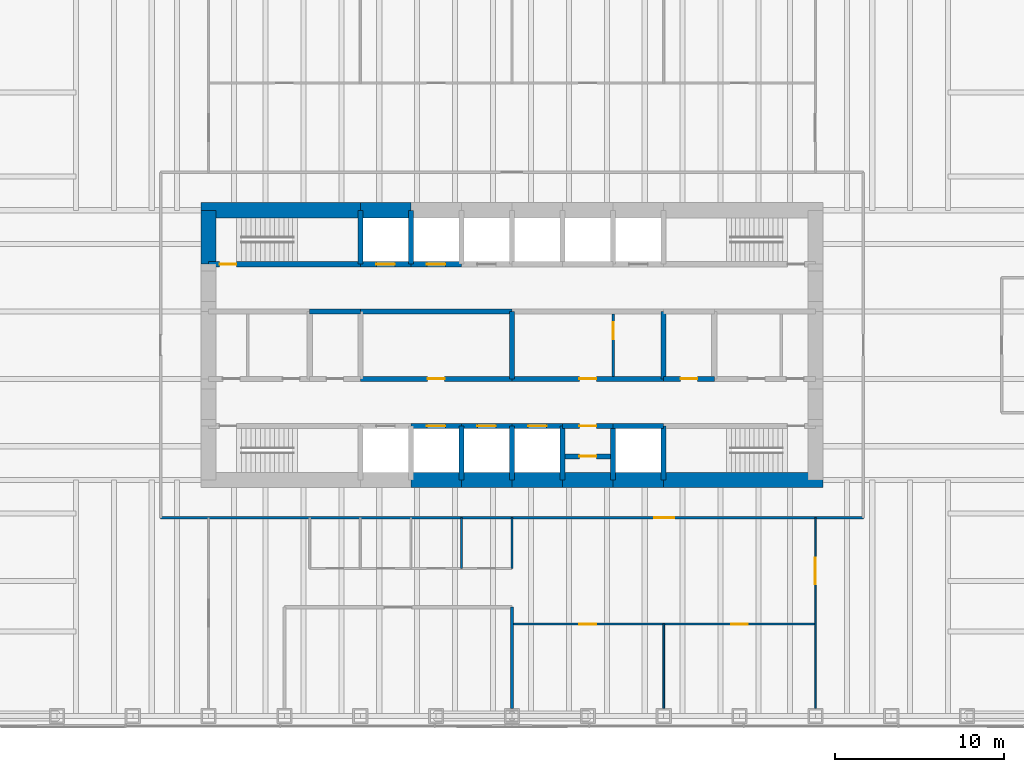
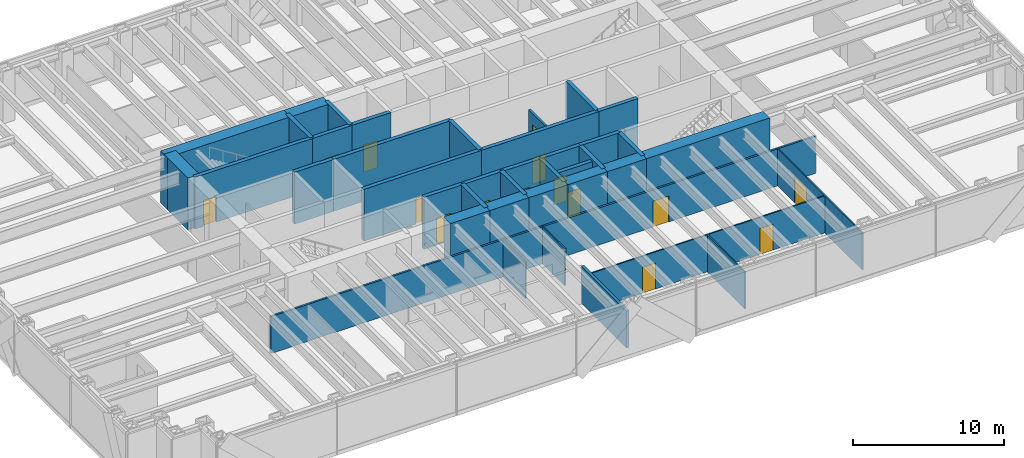
# One storey, part 14 of 17: 40 walls, 16 doors, 16 openings.
"""IFC4 building model written with IfcOpenShell, lengths in metres."""

from ifc_helpers import new_model, si_unit, direction, frame, frame_2d, origin, place, context, subcontext, project, spatial, rectangle, extrude, material, layer, layer_set, type_object, element, fill, save


model = new_model("IFC4")

# Units and contexts
model_context = context("Model", 3, precision=1e-05, world=origin(), true_north=direction((0.0, 1.0)))
body_context = subcontext(model_context, "Body", "Model", "MODEL_VIEW")
ifc_project = project(units=[si_unit("LENGTHUNIT", "METRE"), si_unit("AREAUNIT", "SQUARE_METRE"), si_unit("VOLUMEUNIT", "CUBIC_METRE"), si_unit("PLANEANGLEUNIT", "RADIAN"), si_unit("MASSUNIT", "GRAM", prefix="KILO")], contexts=[model_context])

# Site, building, storey
site_placement = place(None, origin())
site = spatial("IfcSite", under=ifc_project, at=site_placement, CompositionType="ELEMENT")
building_placement = place(site_placement, origin())
building = spatial("IfcBuilding", under=site, at=building_placement, Name="Rheinbord Bourse Tower", CompositionType="ELEMENT")
storey_placement = place(building_placement, frame((0.0, 0.0, 121.5)))
storey = spatial("IfcBuildingStorey", under=building, at=storey_placement, Name="L26", CompositionType="ELEMENT", Elevation=121.5)

# Wall
ifc_material_1 = material(Name="Acoustic gypsum board partition", Category="gypsum board")
ifc_layer_1 = layer(ifc_material_1, 0.199951171875)
ifc_layer_set_1 = layer_set([ifc_layer_1], Name="ACOUSTIC PARTITION 200")
wall_type_1 = type_object("IfcWallType", Name="ACOUSTIC PARTITION 200", PredefinedType="PARTITIONING", material=ifc_layer_set_1)
wall_1_placement = place(storey_placement, frame((36.0, 2.449951171875, 0.0), z_axis=(0.0, 0.0, 1.0), x_axis=(0.0, 1.0, 0.0)))
element("IfcWall", 1, at=wall_1_placement, inside=storey, type_object=wall_type_1, Name="Partition L26-23", PredefinedType="PARTITIONING", context=body_context, shape_type="SweptSolid", body=[
    extrude(rectangle(XDim=6.0, YDim=0.199951171875, at=frame_2d((3.0, 0.0))), origin(), (0.0, 0.0, 1.0), 3.0),
])

# Wall, opening, door
ifc_material_2 = material(Name="Concrete C50/60", Category="concrete")
ifc_layer_2 = layer(ifc_material_2, 0.300048828125)
ifc_layer_set_2 = layer_set([ifc_layer_2], Name="CORE INNER WALL 300")
wall_type_2 = type_object("IfcWallType", Name="CORE INNER WALL 300", PredefinedType="SOLIDWALL", material=ifc_layer_set_2)
wall_2_placement = place(storey_placement, frame((30.0, 19.199951171875, 0.0), z_axis=(0.0, 0.0, 1.0), x_axis=(1.0, 0.0, 0.0)))
wall_2 = element("IfcWall", 2, at=wall_2_placement, inside=storey, type_object=wall_type_2, Name="Core wall A3 L26", PredefinedType="SOLIDWALL", context=body_context, shape_type="SweptSolid", body=[
    extrude(rectangle(XDim=3.0, YDim=0.300048828125, at=frame_2d((1.5, 0.0))), origin(), (0.0, 0.0, 1.0), 4.199951171875),
])
opening_1_placement = place(wall_2_placement, frame((0.949951171875, 0.0, 0.0)))
opening_1 = element("IfcOpeningElement", 3, at=opening_1_placement, cuts=wall_2, Name="Opening PB1", PredefinedType="OPENING", context=body_context, shape_type="SweptSolid", body=[
    extrude(rectangle(XDim=1.10009765625, YDim=2.199951171875, at=frame_2d((0.550048828125, 1.10009765625))), frame((0.0, 0.159912109375, 0.0), z_axis=(0.0, -1.0, 0.0), x_axis=(1.0, 0.0, 0.0)), (0.0, 0.0, 1.0), 0.320068359375),
])
ifc_material_3 = material(Name="Steel landing door", Category="steel")
door_type_1 = type_object("IfcDoorType", Name="LIFT LANDING DOOR 1100", OperationType="DOUBLE_DOOR_SLIDING", PredefinedType="USERDEFINED", material=ifc_material_3)
door_1_placement = place(opening_1_placement, origin())
door_1 = element("IfcDoor", 4, at=door_1_placement, inside=storey, type_object=door_type_1, Name="Lift landing door PB1 L26", ObjectType="LIFT LANDING DOOR", OperationType="DOUBLE_DOOR_SLIDING", OverallHeight=2.199951171875, OverallWidth=1.10009765625, PredefinedType="USERDEFINED", context=body_context, shape_type="SweptSolid", body=[
    extrude(rectangle(XDim=1.10009765625, YDim=2.199951171875, at=frame_2d((0.550048828125, 1.10009765625))), frame((0.0, 0.02490234375, 0.0), z_axis=(0.0, -1.0, 0.0), x_axis=(1.0, 0.0, 0.0)), (0.0, 0.0, 1.0), 0.050048828125),
])
fill(opening_1, door_1)

wall_3_placement = place(storey_placement, frame((33.0, 19.199951171875, 0.0), z_axis=(0.0, 0.0, 1.0), x_axis=(1.0, 0.0, 0.0)))
wall_3 = element("IfcWall", 5, at=wall_3_placement, inside=storey, type_object=wall_type_2, Name="Core wall A4 L26", PredefinedType="SOLIDWALL", context=body_context, shape_type="SweptSolid", body=[
    extrude(rectangle(XDim=3.0, YDim=0.300048828125, at=frame_2d((1.5, 0.0))), origin(), (0.0, 0.0, 1.0), 4.199951171875),
])
opening_2_placement = place(wall_3_placement, frame((0.949951171875, 0.0, 0.0)))
opening_2 = element("IfcOpeningElement", 6, at=opening_2_placement, cuts=wall_3, Name="Opening PB2", PredefinedType="OPENING", context=body_context, shape_type="SweptSolid", body=[
    extrude(rectangle(XDim=1.10009765625, YDim=2.199951171875, at=frame_2d((0.550048828125, 1.10009765625))), frame((0.0, 0.159912109375, 0.0), z_axis=(0.0, -1.0, 0.0), x_axis=(1.0, 0.0, 0.0)), (0.0, 0.0, 1.0), 0.320068359375),
])
door_2_placement = place(opening_2_placement, origin())
door_2 = element("IfcDoor", 7, at=door_2_placement, inside=storey, type_object=door_type_1, Name="Lift landing door PB2 L26", ObjectType="LIFT LANDING DOOR", OperationType="DOUBLE_DOOR_SLIDING", OverallHeight=2.199951171875, OverallWidth=1.10009765625, PredefinedType="USERDEFINED", context=body_context, shape_type="SweptSolid", body=[
    extrude(rectangle(XDim=1.10009765625, YDim=2.199951171875, at=frame_2d((0.550048828125, 1.10009765625))), frame((0.0, 0.02490234375, 0.0), z_axis=(0.0, -1.0, 0.0), x_axis=(1.0, 0.0, 0.0)), (0.0, 0.0, 1.0), 0.050048828125),
])
fill(opening_2, door_2)

wall_4_placement = place(storey_placement, frame((36.0, 19.199951171875, 0.0), z_axis=(0.0, 0.0, 1.0), x_axis=(1.0, 0.0, 0.0)))
wall_4 = element("IfcWall", 8, at=wall_4_placement, inside=storey, type_object=wall_type_2, Name="Core wall A5 L26", PredefinedType="SOLIDWALL", context=body_context, shape_type="SweptSolid", body=[
    extrude(rectangle(XDim=3.0, YDim=0.300048828125, at=frame_2d((1.5, 0.0))), origin(), (0.0, 0.0, 1.0), 4.199951171875),
])
opening_3_placement = place(wall_4_placement, frame((0.949951171875, 0.0, 0.0)))
opening_3 = element("IfcOpeningElement", 9, at=opening_3_placement, cuts=wall_4, Name="Opening PB3", PredefinedType="OPENING", context=body_context, shape_type="SweptSolid", body=[
    extrude(rectangle(XDim=1.10009765625, YDim=2.199951171875, at=frame_2d((0.550048828125, 1.10009765625))), frame((0.0, 0.159912109375, 0.0), z_axis=(0.0, -1.0, 0.0), x_axis=(1.0, 0.0, 0.0)), (0.0, 0.0, 1.0), 0.320068359375),
])
door_3_placement = place(opening_3_placement, origin())
door_3 = element("IfcDoor", 10, at=door_3_placement, inside=storey, type_object=door_type_1, Name="Lift landing door PB3 L26", ObjectType="LIFT LANDING DOOR", OperationType="DOUBLE_DOOR_SLIDING", OverallHeight=2.199951171875, OverallWidth=1.10009765625, PredefinedType="USERDEFINED", context=body_context, shape_type="SweptSolid", body=[
    extrude(rectangle(XDim=1.10009765625, YDim=2.199951171875, at=frame_2d((0.550048828125, 1.10009765625))), frame((0.0, 0.02490234375, 0.0), z_axis=(0.0, -1.0, 0.0), x_axis=(1.0, 0.0, 0.0)), (0.0, 0.0, 1.0), 0.050048828125),
])
fill(opening_3, door_3)

wall_5_placement = place(storey_placement, frame((39.0, 19.199951171875, 0.0), z_axis=(0.0, 0.0, 1.0), x_axis=(1.0, 0.0, 0.0)))
wall_5 = element("IfcWall", 11, at=wall_5_placement, inside=storey, type_object=wall_type_2, Name="Core wall A6 L26", PredefinedType="SOLIDWALL", context=body_context, shape_type="SweptSolid", body=[
    extrude(rectangle(XDim=3.0, YDim=0.300048828125, at=frame_2d((1.5, 0.0))), origin(), (0.0, 0.0, 1.0), 4.199951171875),
])
opening_4_placement = place(wall_5_placement, frame((1.0, 0.0, 0.0)))
opening_4 = element("IfcOpeningElement", 12, at=opening_4_placement, cuts=wall_5, Name="Opening 26R8", PredefinedType="OPENING", context=body_context, shape_type="SweptSolid", body=[
    extrude(rectangle(XDim=1.0, YDim=2.10009765625, at=frame_2d((0.5, 1.050048828125))), frame((0.0, 0.159912109375, 0.0), z_axis=(0.0, -1.0, 0.0), x_axis=(1.0, 0.0, 0.0)), (0.0, 0.0, 1.0), 0.320068359375),
])
ifc_material_4 = material(Name="Steel door", Category="steel")
door_type_2 = type_object("IfcDoorType", Name="DOOR 1000 EI30", OperationType="SINGLE_SWING_LEFT", PredefinedType="DOOR", material=ifc_material_4)
door_4_placement = place(opening_4_placement, origin())
door_4 = element("IfcDoor", 13, at=door_4_placement, inside=storey, type_object=door_type_2, Name="Pantry door L26", OperationType="SINGLE_SWING_LEFT", OverallHeight=2.10009765625, OverallWidth=1.0, PredefinedType="DOOR", context=body_context, shape_type="SweptSolid", body=[
    extrude(rectangle(XDim=1.0, YDim=2.10009765625, at=frame_2d((0.5, 1.050048828125))), frame((0.0, 0.02490234375, 0.0), z_axis=(0.0, -1.0, 0.0), x_axis=(1.0, 0.0, 0.0)), (0.0, 0.0, 1.0), 0.050048828125),
])
fill(opening_4, door_4)

# Wall
wall_6_placement = place(storey_placement, frame((42.0, 19.199951171875, 0.0), z_axis=(0.0, 0.0, 1.0), x_axis=(1.0, 0.0, 0.0)))
element("IfcWall", 14, at=wall_6_placement, inside=storey, type_object=wall_type_2, Name="Core wall A7 L26", PredefinedType="SOLIDWALL", context=body_context, shape_type="SweptSolid", body=[
    extrude(rectangle(XDim=3.0, YDim=0.300048828125, at=frame_2d((1.5, 0.0))), origin(), (0.0, 0.0, 1.0), 4.199951171875),
])

# Wall, opening, door
wall_7_placement = place(storey_placement, frame((18.0, 28.800048828125, 0.0), z_axis=(0.0, 0.0, 1.0), x_axis=(1.0, 0.0, 0.0)))
wall_7 = element("IfcWall", 15, at=wall_7_placement, inside=storey, type_object=wall_type_2, Name="Core wall B1 L26", PredefinedType="SOLIDWALL", context=body_context, shape_type="SweptSolid", body=[
    extrude(rectangle(XDim=9.0, YDim=0.300048828125, at=frame_2d((4.5, 0.0))), origin(), (0.0, 0.0, 1.0), 4.199951171875),
])
opening_5_placement = place(wall_7_placement, frame((0.64990234375, 0.0, 0.0)))
opening_5 = element("IfcOpeningElement", 16, at=opening_5_placement, cuts=wall_7, Name="Opening 2620", PredefinedType="OPENING", context=body_context, shape_type="SweptSolid", body=[
    extrude(rectangle(XDim=1.0, YDim=2.10009765625, at=frame_2d((0.5, 1.050048828125))), frame((0.0, 0.159912109375, 0.0), z_axis=(0.0, -1.0, 0.0), x_axis=(1.0, 0.0, 0.0)), (0.0, 0.0, 1.0), 0.320068359375),
])
door_5_placement = place(opening_5_placement, origin())
door_5 = element("IfcDoor", 17, at=door_5_placement, inside=storey, type_object=door_type_2, Name="Stair door ST2 L26", OperationType="SINGLE_SWING_LEFT", OverallHeight=2.10009765625, OverallWidth=1.0, PredefinedType="DOOR", context=body_context, shape_type="SweptSolid", body=[
    extrude(rectangle(XDim=1.0, YDim=2.10009765625, at=frame_2d((0.5, 1.050048828125))), frame((0.0, 0.02490234375, 0.0), z_axis=(0.0, -1.0, 0.0), x_axis=(1.0, 0.0, 0.0)), (0.0, 0.0, 1.0), 0.050048828125),
])
fill(opening_5, door_5)

wall_8_placement = place(storey_placement, frame((27.0, 28.800048828125, 0.0), z_axis=(0.0, 0.0, 1.0), x_axis=(1.0, 0.0, 0.0)))
wall_8 = element("IfcWall", 18, at=wall_8_placement, inside=storey, type_object=wall_type_2, Name="Core wall B2 L26", PredefinedType="SOLIDWALL", context=body_context, shape_type="SweptSolid", body=[
    extrude(rectangle(XDim=3.0, YDim=0.300048828125, at=frame_2d((1.5, 0.0))), origin(), (0.0, 0.0, 1.0), 4.199951171875),
])
opening_6_placement = place(wall_8_placement, frame((0.949951171875, 0.0, 0.0)))
opening_6 = element("IfcOpeningElement", 19, at=opening_6_placement, cuts=wall_8, Name="Opening GL1", PredefinedType="OPENING", context=body_context, shape_type="SweptSolid", body=[
    extrude(rectangle(XDim=1.10009765625, YDim=2.199951171875, at=frame_2d((0.550048828125, 1.10009765625))), frame((0.0, 0.159912109375, 0.0), z_axis=(0.0, -1.0, 0.0), x_axis=(1.0, 0.0, 0.0)), (0.0, 0.0, 1.0), 0.320068359375),
])
door_6_placement = place(opening_6_placement, origin())
door_6 = element("IfcDoor", 20, at=door_6_placement, inside=storey, type_object=door_type_1, Name="Lift landing door GL1 L26", ObjectType="LIFT LANDING DOOR", OperationType="DOUBLE_DOOR_SLIDING", OverallHeight=2.199951171875, OverallWidth=1.10009765625, PredefinedType="USERDEFINED", context=body_context, shape_type="SweptSolid", body=[
    extrude(rectangle(XDim=1.10009765625, YDim=2.199951171875, at=frame_2d((0.550048828125, 1.10009765625))), frame((0.0, 0.02490234375, 0.0), z_axis=(0.0, -1.0, 0.0), x_axis=(1.0, 0.0, 0.0)), (0.0, 0.0, 1.0), 0.050048828125),
])
fill(opening_6, door_6)

wall_9_placement = place(storey_placement, frame((30.0, 28.800048828125, 0.0), z_axis=(0.0, 0.0, 1.0), x_axis=(1.0, 0.0, 0.0)))
wall_9 = element("IfcWall", 21, at=wall_9_placement, inside=storey, type_object=wall_type_2, Name="Core wall B3 L26", PredefinedType="SOLIDWALL", context=body_context, shape_type="SweptSolid", body=[
    extrude(rectangle(XDim=3.0, YDim=0.300048828125, at=frame_2d((1.5, 0.0))), origin(), (0.0, 0.0, 1.0), 4.199951171875),
])
opening_7_placement = place(wall_9_placement, frame((0.949951171875, 0.0, 0.0)))
opening_7 = element("IfcOpeningElement", 22, at=opening_7_placement, cuts=wall_9, Name="Opening PB4", PredefinedType="OPENING", context=body_context, shape_type="SweptSolid", body=[
    extrude(rectangle(XDim=1.10009765625, YDim=2.199951171875, at=frame_2d((0.550048828125, 1.10009765625))), frame((0.0, 0.159912109375, 0.0), z_axis=(0.0, -1.0, 0.0), x_axis=(1.0, 0.0, 0.0)), (0.0, 0.0, 1.0), 0.320068359375),
])
door_7_placement = place(opening_7_placement, origin())
door_7 = element("IfcDoor", 23, at=door_7_placement, inside=storey, type_object=door_type_1, Name="Lift landing door PB4 L26", ObjectType="LIFT LANDING DOOR", OperationType="DOUBLE_DOOR_SLIDING", OverallHeight=2.199951171875, OverallWidth=1.10009765625, PredefinedType="USERDEFINED", context=body_context, shape_type="SweptSolid", body=[
    extrude(rectangle(XDim=1.10009765625, YDim=2.199951171875, at=frame_2d((0.550048828125, 1.10009765625))), frame((0.0, 0.02490234375, 0.0), z_axis=(0.0, -1.0, 0.0), x_axis=(1.0, 0.0, 0.0)), (0.0, 0.0, 1.0), 0.050048828125),
])
fill(opening_7, door_7)

wall_10_placement = place(storey_placement, frame((27.0, 22.0, 0.0), z_axis=(0.0, 0.0, 1.0), x_axis=(1.0, 0.0, 0.0)))
wall_10 = element("IfcWall", 24, at=wall_10_placement, inside=storey, type_object=wall_type_2, Name="Core wall C3 L26", PredefinedType="SOLIDWALL", context=body_context, shape_type="SweptSolid", body=[
    extrude(rectangle(XDim=9.0, YDim=0.300048828125, at=frame_2d((4.5, 0.0))), origin(), (0.0, 0.0, 1.0), 4.199951171875),
])
opening_8_placement = place(wall_10_placement, frame((4.0, 0.0, 0.0)))
opening_8 = element("IfcOpeningElement", 25, at=opening_8_placement, cuts=wall_10, Name="Opening 26R3", PredefinedType="OPENING", context=body_context, shape_type="SweptSolid", body=[
    extrude(rectangle(XDim=1.0, YDim=2.10009765625, at=frame_2d((0.5, 1.050048828125))), frame((0.0, 0.159912109375, 0.0), z_axis=(0.0, -1.0, 0.0), x_axis=(1.0, 0.0, 0.0)), (0.0, 0.0, 1.0), 0.320068359375),
])
door_8_placement = place(opening_8_placement, origin())
door_8 = element("IfcDoor", 26, at=door_8_placement, inside=storey, type_object=door_type_2, Name="Riser door L26", OperationType="SINGLE_SWING_LEFT", OverallHeight=2.10009765625, OverallWidth=1.0, PredefinedType="DOOR", context=body_context, shape_type="SweptSolid", body=[
    extrude(rectangle(XDim=1.0, YDim=2.10009765625, at=frame_2d((0.5, 1.050048828125))), frame((0.0, 0.02490234375, 0.0), z_axis=(0.0, -1.0, 0.0), x_axis=(1.0, 0.0, 0.0)), (0.0, 0.0, 1.0), 0.050048828125),
])
fill(opening_8, door_8)

wall_11_placement = place(storey_placement, frame((36.0, 22.0, 0.0), z_axis=(0.0, 0.0, 1.0), x_axis=(1.0, 0.0, 0.0)))
wall_11 = element("IfcWall", 27, at=wall_11_placement, inside=storey, type_object=wall_type_2, Name="Core wall C4 L26", PredefinedType="SOLIDWALL", context=body_context, shape_type="SweptSolid", body=[
    extrude(rectangle(XDim=9.0, YDim=0.300048828125, at=frame_2d((4.5, 0.0))), origin(), (0.0, 0.0, 1.0), 4.199951171875),
])
opening_9_placement = place(wall_11_placement, frame((4.0, 0.0, 0.0)))
opening_9 = element("IfcOpeningElement", 28, at=opening_9_placement, cuts=wall_11, Name="Opening 26R4", PredefinedType="OPENING", context=body_context, shape_type="SweptSolid", body=[
    extrude(rectangle(XDim=1.0, YDim=2.10009765625, at=frame_2d((0.5, 1.050048828125))), frame((0.0, 0.159912109375, 0.0), z_axis=(0.0, -1.0, 0.0), x_axis=(1.0, 0.0, 0.0)), (0.0, 0.0, 1.0), 0.320068359375),
])
door_9_placement = place(opening_9_placement, origin())
door_9 = element("IfcDoor", 29, at=door_9_placement, inside=storey, type_object=door_type_2, Name="IT room door L26", OperationType="SINGLE_SWING_LEFT", OverallHeight=2.10009765625, OverallWidth=1.0, PredefinedType="DOOR", context=body_context, shape_type="SweptSolid", body=[
    extrude(rectangle(XDim=1.0, YDim=2.10009765625, at=frame_2d((0.5, 1.050048828125))), frame((0.0, 0.02490234375, 0.0), z_axis=(0.0, -1.0, 0.0), x_axis=(1.0, 0.0, 0.0)), (0.0, 0.0, 1.0), 0.050048828125),
])
fill(opening_9, door_9)

wall_12_placement = place(storey_placement, frame((45.0, 22.0, 0.0), z_axis=(0.0, 0.0, 1.0), x_axis=(1.0, 0.0, 0.0)))
wall_12 = element("IfcWall", 30, at=wall_12_placement, inside=storey, type_object=wall_type_2, Name="Core wall C5 L26", PredefinedType="SOLIDWALL", context=body_context, shape_type="SweptSolid", body=[
    extrude(rectangle(XDim=3.0, YDim=0.300048828125, at=frame_2d((1.5, 0.0))), origin(), (0.0, 0.0, 1.0), 4.199951171875),
])
opening_10_placement = place(wall_12_placement, frame((1.0, 0.0, 0.0)))
opening_10 = element("IfcOpeningElement", 31, at=opening_10_placement, cuts=wall_12, Name="Opening 26R5", PredefinedType="OPENING", context=body_context, shape_type="SweptSolid", body=[
    extrude(rectangle(XDim=1.0, YDim=2.10009765625, at=frame_2d((0.5, 1.050048828125))), frame((0.0, 0.159912109375, 0.0), z_axis=(0.0, -1.0, 0.0), x_axis=(1.0, 0.0, 0.0)), (0.0, 0.0, 1.0), 0.320068359375),
])
ifc_material_5 = material(Name="Timber door", Category="wood")
door_type_3 = type_object("IfcDoorType", Name="DOOR 1000 WC", OperationType="SINGLE_SWING_LEFT", PredefinedType="DOOR", material=ifc_material_5)
door_10_placement = place(opening_10_placement, origin())
door_10 = element("IfcDoor", 32, at=door_10_placement, inside=storey, type_object=door_type_3, Name="Accessible WC door L26", OperationType="SINGLE_SWING_LEFT", OverallHeight=2.10009765625, OverallWidth=1.0, PredefinedType="DOOR", context=body_context, shape_type="SweptSolid", body=[
    extrude(rectangle(XDim=1.0, YDim=2.10009765625, at=frame_2d((0.5, 1.050048828125))), frame((0.0, 0.02490234375, 0.0), z_axis=(0.0, -1.0, 0.0), x_axis=(1.0, 0.0, 0.0)), (0.0, 0.0, 1.0), 0.050048828125),
])
fill(opening_10, door_10)

# Walls
wall_13_placement = place(storey_placement, frame((24.0, 26.0, 0.0), z_axis=(0.0, 0.0, 1.0), x_axis=(1.0, 0.0, 0.0)))
element("IfcWall", 33, at=wall_13_placement, inside=storey, type_object=wall_type_2, Name="Core wall D2 L26", PredefinedType="SOLIDWALL", context=body_context, shape_type="SweptSolid", body=[
    extrude(rectangle(XDim=3.0, YDim=0.300048828125, at=frame_2d((1.5, 0.0))), origin(), (0.0, 0.0, 1.0), 4.199951171875),
])
wall_14_placement = place(storey_placement, frame((27.0, 26.0, 0.0), z_axis=(0.0, 0.0, 1.0), x_axis=(1.0, 0.0, 0.0)))
element("IfcWall", 34, at=wall_14_placement, inside=storey, type_object=wall_type_2, Name="Core wall D3 L26", PredefinedType="SOLIDWALL", context=body_context, shape_type="SweptSolid", body=[
    extrude(rectangle(XDim=9.0, YDim=0.300048828125, at=frame_2d((4.5, 0.0))), origin(), (0.0, 0.0, 1.0), 4.199951171875),
])
for number, where, z_axis, x_axis, name in (
    (35, (27.0, 28.800048828125, 0.0), (0.0, 0.0, 1.0), (0.0, 1.0, 0.0), "Core wall NX27 L26"),
    (36, (30.0, 28.800048828125, 0.0), (0.0, 0.0, 1.0), (0.0, 1.0, 0.0), "Core wall NX30 L26"),
    (37, (33.0, 16.0, 0.0), (0.0, 0.0, 1.0), (0.0, 1.0, 0.0), "Core wall SX33 L26"),
    (38, (36.0, 16.0, 0.0), (0.0, 0.0, 1.0), (0.0, 1.0, 0.0), "Core wall SX36 L26"),
    (39, (39.0, 16.0, 0.0), (0.0, 0.0, 1.0), (0.0, 1.0, 0.0), "Core wall SX39 L26"),
    (40, (42.0, 16.0, 0.0), (0.0, 0.0, 1.0), (0.0, 1.0, 0.0), "Core wall SX42 L26"),
    (41, (45.0, 16.0, 0.0), (0.0, 0.0, 1.0), (0.0, 1.0, 0.0), "Core wall SX45 L26"),
):
    element("IfcWall", number, at=place(storey_placement, frame(where, z_axis=z_axis, x_axis=x_axis)), inside=storey, type_object=wall_type_2, Name=name, PredefinedType="SOLIDWALL", context=body_context, shape_type="SweptSolid", body=[
        extrude(rectangle(XDim=3.199951171875, YDim=0.300048828125, at=frame_2d((1.60009765625, 0.0))), origin(), (0.0, 0.0, 1.0), 4.199951171875),
    ])
for number, where, z_axis, x_axis, name in (
    (42, (36.0, 22.0, 0.0), (0.0, 0.0, 1.0), (0.0, 1.0, 0.0), "Core wall MX36 L26"),
    (43, (45.0, 22.0, 0.0), (0.0, 0.0, 1.0), (0.0, 1.0, 0.0), "Core wall MX45 L26"),
):
    element("IfcWall", number, at=place(storey_placement, frame(where, z_axis=z_axis, x_axis=x_axis)), inside=storey, type_object=wall_type_2, Name=name, PredefinedType="SOLIDWALL", context=body_context, shape_type="SweptSolid", body=[
        extrude(rectangle(XDim=4.0, YDim=0.300048828125, at=frame_2d((2.0, 0.0))), origin(), (0.0, 0.0, 1.0), 4.199951171875),
    ])

# Wall, opening, door
wall_15_placement = place(storey_placement, frame((39.14990234375, 17.39990234375, 0.0), z_axis=(0.0, 0.0, 1.0), x_axis=(1.0, 0.0, 0.0)))
wall_15 = element("IfcWall", 44, at=wall_15_placement, inside=storey, type_object=wall_type_2, Name="Core riser wall L26-6", PredefinedType="SOLIDWALL", context=body_context, shape_type="SweptSolid", body=[
    extrude(rectangle(XDim=2.7001953125, YDim=0.300048828125, at=frame_2d((1.35009765625, 0.0))), origin(), (0.0, 0.0, 1.0), 4.0400390625),
])
opening_11_placement = place(wall_15_placement, frame((0.85009765625, 0.0, 0.0)))
opening_11 = element("IfcOpeningElement", 45, at=opening_11_placement, cuts=wall_15, Name="Opening 26R12", PredefinedType="OPENING", context=body_context, shape_type="SweptSolid", body=[
    extrude(rectangle(XDim=1.0, YDim=2.10009765625, at=frame_2d((0.5, 1.050048828125))), frame((0.0, 0.159912109375, 0.0), z_axis=(0.0, -1.0, 0.0), x_axis=(1.0, 0.0, 0.0)), (0.0, 0.0, 1.0), 0.320068359375),
])
door_11_placement = place(opening_11_placement, origin())
door_11 = element("IfcDoor", 46, at=door_11_placement, inside=storey, type_object=door_type_2, Name="Comms riser door L26", OperationType="SINGLE_SWING_LEFT", OverallHeight=2.10009765625, OverallWidth=1.0, PredefinedType="DOOR", context=body_context, shape_type="SweptSolid", body=[
    extrude(rectangle(XDim=1.0, YDim=2.10009765625, at=frame_2d((0.5, 1.050048828125))), frame((0.0, 0.02490234375, 0.0), z_axis=(0.0, -1.0, 0.0), x_axis=(1.0, 0.0, 0.0)), (0.0, 0.0, 1.0), 0.050048828125),
])
fill(opening_11, door_11)

ifc_material_6 = material(Name="Gypsum board fire partition", Category="gypsum board")
ifc_layer_3 = layer(ifc_material_6, 0.14990234375)
ifc_layer_set_3 = layer_set([ifc_layer_3], Name="CORE PARTITION 150 EI30")
wall_type_3 = type_object("IfcWallType", Name="CORE PARTITION 150 EI30", PredefinedType="PARTITIONING", material=ifc_layer_set_3)
wall_16_placement = place(storey_placement, frame((42.0, 22.14990234375, 0.0), z_axis=(0.0, 0.0, 1.0), x_axis=(0.0, 1.0, 0.0)))
wall_16 = element("IfcWall", 47, at=wall_16_placement, inside=storey, type_object=wall_type_3, Name="Core partition L26-1", PredefinedType="PARTITIONING", context=body_context, shape_type="SweptSolid", body=[
    extrude(rectangle(XDim=3.7001953125, YDim=0.14990234375, at=frame_2d((1.85009765625, 0.0))), origin(), (0.0, 0.0, 1.0), 3.0),
])
opening_12_placement = place(wall_16_placement, frame((2.199951171875, 0.0, 0.0)))
opening_12 = element("IfcOpeningElement", 48, at=opening_12_placement, cuts=wall_16, Name="Opening 26R7", PredefinedType="OPENING", context=body_context, shape_type="SweptSolid", body=[
    extrude(rectangle(XDim=1.0, YDim=2.10009765625, at=frame_2d((0.5, 1.050048828125))), frame((0.0, 0.0849609375, 0.0), z_axis=(0.0, -1.0, 0.0), x_axis=(1.0, 0.0, 0.0)), (0.0, 0.0, 1.0), 0.169921875),
])
door_12_placement = place(opening_12_placement, origin())
door_12 = element("IfcDoor", 49, at=door_12_placement, inside=storey, type_object=door_type_2, Name="Store door L26", OperationType="SINGLE_SWING_RIGHT", OverallHeight=2.10009765625, OverallWidth=1.0, PredefinedType="DOOR", context=body_context, shape_type="SweptSolid", body=[
    extrude(rectangle(XDim=1.0, YDim=2.10009765625, at=frame_2d((0.5, 1.050048828125))), frame((0.0, 0.02490234375, 0.0), z_axis=(0.0, -1.0, 0.0), x_axis=(1.0, 0.0, 0.0)), (0.0, 0.0, 1.0), 0.050048828125),
])
fill(opening_12, door_12)

# Walls
ifc_material_7 = material(Name="Concrete C50/60", Category="concrete")
ifc_layer_4 = layer(ifc_material_7, 0.89990234375)
ifc_layer_set_4 = layer_set([ifc_layer_4], Name="CORE WALL 900")
wall_type_4 = type_object("IfcWallType", Name="CORE WALL 900", PredefinedType="SHEAR", material=ifc_layer_set_4)
for number, where, z_axis, x_axis, name in (
    (50, (30.0, 16.0, 0.0), (0.0, 0.0, 1.0), (1.0, 0.0, 0.0), "Core wall S3 L26"),
    (51, (33.0, 16.0, 0.0), (0.0, 0.0, 1.0), (1.0, 0.0, 0.0), "Core wall S4 L26"),
    (52, (36.0, 16.0, 0.0), (0.0, 0.0, 1.0), (1.0, 0.0, 0.0), "Core wall S5 L26"),
    (53, (39.0, 16.0, 0.0), (0.0, 0.0, 1.0), (1.0, 0.0, 0.0), "Core wall S6 L26"),
    (54, (42.0, 16.0, 0.0), (0.0, 0.0, 1.0), (1.0, 0.0, 0.0), "Core wall S7 L26"),
):
    element("IfcWall", number, at=place(storey_placement, frame(where, z_axis=z_axis, x_axis=x_axis)), inside=storey, type_object=wall_type_4, Name=name, PredefinedType="SHEAR", context=body_context, shape_type="SweptSolid", body=[
        extrude(rectangle(XDim=3.0, YDim=0.89990234375, at=frame_2d((1.5, 0.0))), origin(), (0.0, 0.0, 1.0), 4.199951171875),
    ])
wall_17_placement = place(storey_placement, frame((45.0, 16.0, 0.0), z_axis=(0.0, 0.0, 1.0), x_axis=(1.0, 0.0, 0.0)))
element("IfcWall", 55, at=wall_17_placement, inside=storey, type_object=wall_type_4, Name="Core wall S8 L26", PredefinedType="SHEAR", context=body_context, shape_type="SweptSolid", body=[
    extrude(rectangle(XDim=9.449951171875, YDim=0.89990234375, at=frame_2d((4.72509765625, 0.0))), origin(), (0.0, 0.0, 1.0), 4.199951171875),
])
wall_18_placement = place(storey_placement, frame((30.0, 32.0, 0.0), z_axis=(0.0, 0.0, 1.0), x_axis=(-1.0, 0.0, 0.0)))
element("IfcWall", 56, at=wall_18_placement, inside=storey, type_object=wall_type_4, Name="Core wall N7 L26", PredefinedType="SHEAR", context=body_context, shape_type="SweptSolid", body=[
    extrude(rectangle(XDim=3.0, YDim=0.89990234375, at=frame_2d((1.5, 0.0))), origin(), (0.0, 0.0, 1.0), 4.199951171875),
])
wall_19_placement = place(storey_placement, frame((27.0, 32.0, 0.0), z_axis=(0.0, 0.0, 1.0), x_axis=(-1.0, 0.0, 0.0)))
element("IfcWall", 57, at=wall_19_placement, inside=storey, type_object=wall_type_4, Name="Core wall N8 L26", PredefinedType="SHEAR", context=body_context, shape_type="SweptSolid", body=[
    extrude(rectangle(XDim=9.449951171875, YDim=0.89990234375, at=frame_2d((4.72509765625, 0.0))), origin(), (0.0, 0.0, 1.0), 4.199951171875),
])
wall_20_placement = place(storey_placement, frame((18.0, 32.0, 0.0), z_axis=(0.0, 0.0, 1.0), x_axis=(0.0, -1.0, 0.0)))
element("IfcWall", 58, at=wall_20_placement, inside=storey, type_object=wall_type_4, Name="Core wall W1 L26", PredefinedType="SHEAR", context=body_context, shape_type="SweptSolid", body=[
    extrude(rectangle(XDim=3.199951171875, YDim=0.89990234375, at=frame_2d((1.60009765625, 0.0))), origin(), (0.0, 0.0, 1.0), 4.199951171875),
])

# Wall, opening, door
ifc_material_8 = material(Name="Gypsum board corridor partition", Category="gypsum board")
ifc_layer_5 = layer(ifc_material_8, 0.14990234375)
ifc_layer_set_5 = layer_set([ifc_layer_5], Name="CORRIDOR PARTITION 150 EI30")
wall_type_5 = type_object("IfcWallType", Name="CORRIDOR PARTITION 150 EI30", PredefinedType="PARTITIONING", material=ifc_layer_set_5)
wall_21_placement = place(storey_placement, frame((15.14990234375, 13.75, 0.0), z_axis=(0.0, 0.0, 1.0), x_axis=(1.0, 0.0, 0.0)))
wall_21 = element("IfcWall", 59, at=wall_21_placement, inside=storey, type_object=wall_type_5, Name="Partition L26-05", PredefinedType="PARTITIONING", context=body_context, shape_type="SweptSolid", body=[
    extrude(rectangle(XDim=41.7001953125, YDim=0.14990234375, at=frame_2d((20.85009765625, 0.0))), origin(), (0.0, 0.0, 1.0), 3.0),
])
opening_13_placement = place(wall_21_placement, frame((29.27490234375, 0.0, 0.0)))
opening_13 = element("IfcOpeningElement", 60, at=opening_13_placement, cuts=wall_21, Name="Opening 26D21", PredefinedType="OPENING", context=body_context, shape_type="SweptSolid", body=[
    extrude(rectangle(XDim=1.199951171875, YDim=2.10009765625, at=frame_2d((0.60009765625, 1.050048828125))), frame((0.0, 0.0849609375, 0.0), z_axis=(0.0, -1.0, 0.0), x_axis=(1.0, 0.0, 0.0)), (0.0, 0.0, 1.0), 0.169921875),
])
ifc_material_9 = material(Name="Timber fire door", Category="wood")
door_type_4 = type_object("IfcDoorType", Name="SUITE ENTRANCE DOOR 1200 EI30", OperationType="SINGLE_SWING_LEFT", PredefinedType="DOOR", material=ifc_material_9)
door_13_placement = place(opening_13_placement, origin())
door_13 = element("IfcDoor", 61, at=door_13_placement, inside=storey, type_object=door_type_4, Name="Suite entrance 3 door L26", OperationType="SINGLE_SWING_RIGHT", OverallHeight=2.10009765625, OverallWidth=1.199951171875, PredefinedType="DOOR", context=body_context, shape_type="SweptSolid", body=[
    extrude(rectangle(XDim=1.199951171875, YDim=2.10009765625, at=frame_2d((0.60009765625, 1.050048828125))), frame((0.0, 0.02490234375, 0.0), z_axis=(0.0, -1.0, 0.0), x_axis=(1.0, 0.0, 0.0)), (0.0, 0.0, 1.0), 0.050048828125),
])
fill(opening_13, door_13)

# Wall, openings, doors
ifc_material_10 = material(Name="Toughened laminated glass partition", Category="glass")
ifc_layer_6 = layer(ifc_material_10, 0.10009765625)
ifc_layer_set_6 = layer_set([ifc_layer_6], Name="GLAZED PARTITION 100")
wall_type_6 = type_object("IfcWallType", Name="GLAZED PARTITION 100", PredefinedType="PARTITIONING", material=ifc_layer_set_6)
wall_22_placement = place(storey_placement, frame((36.0, 7.449951171875, 0.0), z_axis=(0.0, 0.0, 1.0), x_axis=(1.0, 0.0, 0.0)))
wall_22 = element("IfcWall", 62, at=wall_22_placement, inside=storey, type_object=wall_type_6, Name="Partition L26-01", PredefinedType="PARTITIONING", context=body_context, shape_type="SweptSolid", body=[
    extrude(rectangle(XDim=18.0, YDim=0.10009765625, at=frame_2d((9.0, 0.0))), origin(), (0.0, 0.0, 1.0), 3.0),
])
opening_14_placement = place(wall_22_placement, frame((4.0, 0.0, 0.0)))
opening_14 = element("IfcOpeningElement", 63, at=opening_14_placement, cuts=wall_22, Name="Opening 26D01", PredefinedType="OPENING", context=body_context, shape_type="SweptSolid", body=[
    extrude(rectangle(XDim=1.0, YDim=2.10009765625, at=frame_2d((0.5, 1.050048828125))), frame((0.0, 0.06005859375, 0.0), z_axis=(0.0, -1.0, 0.0), x_axis=(1.0, 0.0, 0.0)), (0.0, 0.0, 1.0), 0.1201171875),
])
opening_15_placement = place(wall_22_placement, frame((13.0, 0.0, 0.0)))
opening_15 = element("IfcOpeningElement", 64, at=opening_15_placement, cuts=wall_22, Name="Opening 26D02", PredefinedType="OPENING", context=body_context, shape_type="SweptSolid", body=[
    extrude(rectangle(XDim=1.0, YDim=2.10009765625, at=frame_2d((0.5, 1.050048828125))), frame((0.0, 0.06005859375, 0.0), z_axis=(0.0, -1.0, 0.0), x_axis=(1.0, 0.0, 0.0)), (0.0, 0.0, 1.0), 0.1201171875),
])
ifc_material_11 = material(Name="Timber door", Category="wood")
door_type_5 = type_object("IfcDoorType", Name="ROOM DOOR 1000", OperationType="SINGLE_SWING_LEFT", PredefinedType="DOOR", material=ifc_material_11)
door_14_placement = place(opening_14_placement, origin())
door_14 = element("IfcDoor", 65, at=door_14_placement, inside=storey, type_object=door_type_5, Name="Project room door L26", OperationType="SINGLE_SWING_LEFT", OverallHeight=2.10009765625, OverallWidth=1.0, PredefinedType="DOOR", context=body_context, shape_type="SweptSolid", body=[
    extrude(rectangle(XDim=1.0, YDim=2.10009765625, at=frame_2d((0.5, 1.050048828125))), frame((0.0, 0.02490234375, 0.0), z_axis=(0.0, -1.0, 0.0), x_axis=(1.0, 0.0, 0.0)), (0.0, 0.0, 1.0), 0.050048828125),
])
fill(opening_14, door_14)
door_15_placement = place(opening_15_placement, origin())
door_15 = element("IfcDoor", 66, at=door_15_placement, inside=storey, type_object=door_type_5, Name="Project room door L26", OperationType="SINGLE_SWING_RIGHT", OverallHeight=2.10009765625, OverallWidth=1.0, PredefinedType="DOOR", context=body_context, shape_type="SweptSolid", body=[
    extrude(rectangle(XDim=1.0, YDim=2.10009765625, at=frame_2d((0.5, 1.050048828125))), frame((0.0, 0.02490234375, 0.0), z_axis=(0.0, -1.0, 0.0), x_axis=(1.0, 0.0, 0.0)), (0.0, 0.0, 1.0), 0.050048828125),
])
fill(opening_15, door_15)

# Walls
for number, where, z_axis, x_axis, name in (
    (67, (33.0, 10.75, 0.0), (0.0, 0.0, 1.0), (0.0, 1.0, 0.0), "Partition L26-22"),
    (68, (36.0, 10.75, 0.0), (0.0, 0.0, 1.0), (0.0, 1.0, 0.0), "Partition L26-24"),
):
    element("IfcWall", number, at=place(storey_placement, frame(where, z_axis=z_axis, x_axis=x_axis)), inside=storey, type_object=wall_type_6, Name=name, PredefinedType="PARTITIONING", context=body_context, shape_type="SweptSolid", body=[
        extrude(rectangle(XDim=3.0, YDim=0.10009765625, at=frame_2d((1.5, 0.0))), origin(), (0.0, 0.0, 1.0), 3.0),
    ])
wall_23_placement = place(storey_placement, frame((45.0, 2.449951171875, 0.0), z_axis=(0.0, 0.0, 1.0), x_axis=(0.0, 1.0, 0.0)))
element("IfcWall", 69, at=wall_23_placement, inside=storey, type_object=wall_type_6, Name="Partition L26-26", PredefinedType="PARTITIONING", context=body_context, shape_type="SweptSolid", body=[
    extrude(rectangle(XDim=5.0, YDim=0.10009765625, at=frame_2d((2.5, 0.0))), origin(), (0.0, 0.0, 1.0), 3.0),
])

# Wall, opening, door
wall_24_placement = place(storey_placement, frame((54.0, 2.449951171875, 0.0), z_axis=(0.0, 0.0, 1.0), x_axis=(0.0, 1.0, 0.0)))
wall_24 = element("IfcWall", 70, at=wall_24_placement, inside=storey, type_object=wall_type_6, Name="Partition L26-28", PredefinedType="PARTITIONING", context=body_context, shape_type="SweptSolid", body=[
    extrude(rectangle(XDim=11.300048828125, YDim=0.10009765625, at=frame_2d((5.64990234375, 0.0))), origin(), (0.0, 0.0, 1.0), 3.0),
])
opening_16_placement = place(wall_24_placement, frame((7.35009765625, 0.0, 0.0)))
opening_16 = element("IfcOpeningElement", 71, at=opening_16_placement, cuts=wall_24, Name="Opening 26D17", PredefinedType="OPENING", context=body_context, shape_type="SweptSolid", body=[
    extrude(rectangle(XDim=1.60009765625, YDim=2.10009765625, at=frame_2d((0.800048828125, 1.050048828125))), frame((0.0, 0.06005859375, 0.0), z_axis=(0.0, -1.0, 0.0), x_axis=(1.0, 0.0, 0.0)), (0.0, 0.0, 1.0), 0.1201171875),
])
ifc_material_12 = material(Name="Timber door", Category="wood")
door_type_6 = type_object("IfcDoorType", Name="DOUBLE ROOM DOOR 1600", OperationType="DOUBLE_DOOR_DOUBLE_SWING", PredefinedType="DOOR", material=ifc_material_12)
door_16_placement = place(opening_16_placement, origin())
door_16 = element("IfcDoor", 72, at=door_16_placement, inside=storey, type_object=door_type_6, Name="Open area door L26", OperationType="SINGLE_SWING_LEFT", OverallHeight=2.10009765625, OverallWidth=1.60009765625, PredefinedType="DOOR", context=body_context, shape_type="SweptSolid", body=[
    extrude(rectangle(XDim=1.60009765625, YDim=2.10009765625, at=frame_2d((0.800048828125, 1.050048828125))), frame((0.0, 0.02490234375, 0.0), z_axis=(0.0, -1.0, 0.0), x_axis=(1.0, 0.0, 0.0)), (0.0, 0.0, 1.0), 0.050048828125),
])
fill(opening_16, door_16)

save(model, "model.ifc")
